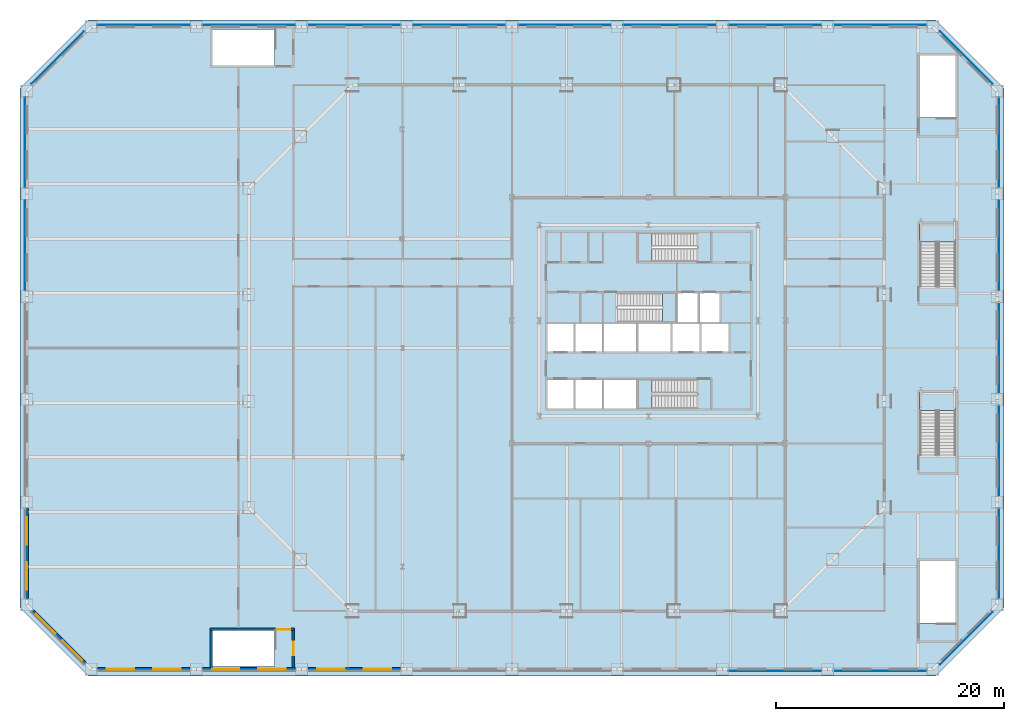
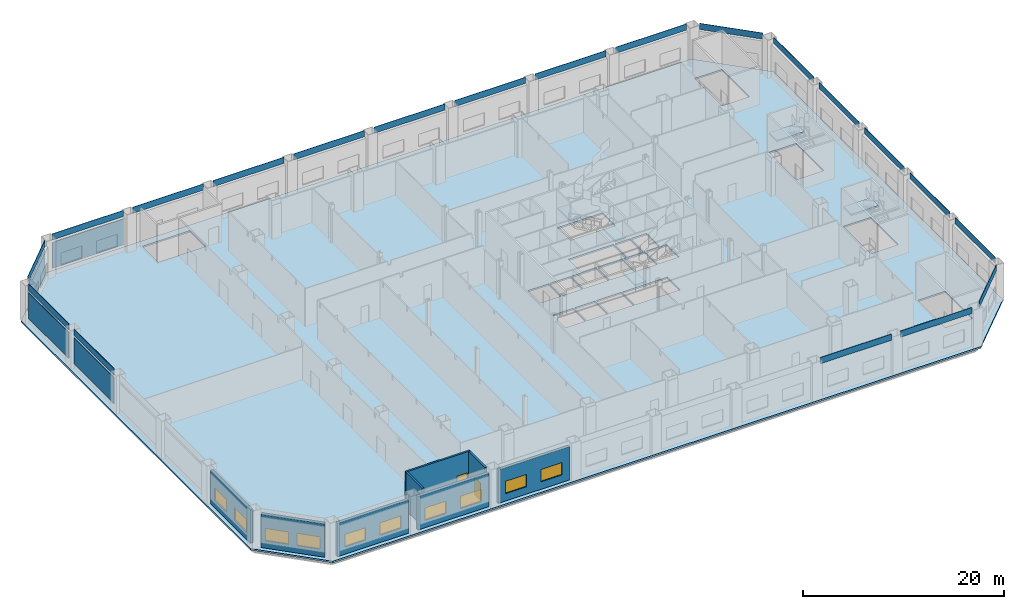
# One storey, part 8 of 22: 24 plates, 10 windows, 8 walls, 6 slabs, 2 doors, 12 openings, 5 elements without a shape of their own.
"""IFC4 building model written with IfcOpenShell, lengths in metres."""

from ifc_helpers import new_model, si_unit, direction, frame, frame_2d, origin, origin_2d, place, context, subcontext, project, spatial, polyline, rectangle, outline, extrude, material, layer, layer_set, type_object, element, fill, aggregate, save


model = new_model("IFC4")

# Units and contexts
model_context = context("Model", 3, precision=1e-05, world=origin(), true_north=direction((0.0, 1.0)))
body_context = subcontext(model_context, "Body", "Model", "MODEL_VIEW")
ifc_project = project(units=[si_unit("LENGTHUNIT", "METRE"), si_unit("AREAUNIT", "SQUARE_METRE"), si_unit("VOLUMEUNIT", "CUBIC_METRE"), si_unit("PLANEANGLEUNIT", "RADIAN"), si_unit("MASSUNIT", "GRAM", prefix="KILO")], contexts=[model_context])

# Site, building, storey
site_placement = place(None, origin())
site = spatial("IfcSite", under=ifc_project, at=site_placement, CompositionType="ELEMENT")
building_placement = place(site_placement, origin())
building = spatial("IfcBuilding", under=site, at=building_placement, Name="Cairn Pilgrim Tower", CompositionType="ELEMENT")
storey_placement = place(building_placement, frame((0.0, 0.0, 35.39990234375)))
storey = spatial("IfcBuildingStorey", under=building, at=storey_placement, Name="L06", CompositionType="ELEMENT", Elevation=35.39990234375)

# Plates
ifc_material_1 = material(Name="Bronze anodised aluminium", Category="aluminium")
ifc_layer_1 = layer(ifc_material_1, 0.050048828125)
ifc_layer_set_1 = layer_set([ifc_layer_1], Name="BRONZE FASCIA PANEL 50")
plate_type_1 = type_object("IfcPlateType", Name="BRONZE FASCIA PANEL 50", PredefinedType="SHEET", material=ifc_layer_set_1)
for number, where, z_axis, x_axis, name in (
    (1, (18.294677734375, -28.375, 4.050048828125), (0.0, 0.0, 1.0), (1.0, 0.0, 0.0), "FASCIA"),
    (2, (27.532470703125, -28.375, 4.050048828125), (0.0, 0.0, 1.0), (1.0, 0.0, 0.0), "FASCIA"),
):
    element("IfcPlate", number, at=place(storey_placement, frame(where, z_axis=z_axis, x_axis=x_axis)), inside=storey, type_object=plate_type_1, Name=name, PredefinedType="SHEET", context=body_context, shape_type="SweptSolid", body=[
        extrude(rectangle(XDim=8.137939453125, YDim=0.050048828125, at=origin_2d()), origin(), (0.0, 0.0, 1.0), 0.75),
    ])
plate_1_placement = place(storey_placement, frame((35.099609375, -25.49951171875, 4.050048828125), z_axis=(0.0, 0.0, 1.0), x_axis=(0.707106781187, 0.707106781187, 0.0)))
element("IfcPlate", 3, at=plate_1_placement, inside=storey, type_object=plate_type_1, Name="FASCIA", PredefinedType="SHEET", context=body_context, shape_type="SweptSolid", body=[
    extrude(rectangle(XDim=6.50830078125, YDim=0.050048828125, at=origin_2d()), origin(), (0.0, 0.0, 1.0), 0.75),
])
for number, where, z_axis, x_axis, name in (
    (4, (37.97509765625, -18.041259765625, 4.050048828125), (0.0, 0.0, 1.0), (0.0, 1.0, 0.0), "FASCIA"),
    (5, (37.97509765625, -9.0205078125, 4.050048828125), (0.0, 0.0, 1.0), (0.0, 1.0, 0.0), "FASCIA"),
    (6, (37.97509765625, 0.0, 4.050048828125), (0.0, 0.0, 1.0), (0.0, 1.0, 0.0), "FASCIA"),
    (7, (37.97509765625, 9.0205078125, 4.050048828125), (0.0, 0.0, 1.0), (0.0, 1.0, 0.0), "FASCIA"),
    (8, (37.97509765625, 18.041259765625, 4.050048828125), (0.0, 0.0, 1.0), (0.0, 1.0, 0.0), "FASCIA"),
):
    element("IfcPlate", number, at=place(storey_placement, frame(where, z_axis=z_axis, x_axis=x_axis)), inside=storey, type_object=plate_type_1, Name=name, PredefinedType="SHEET", context=body_context, shape_type="SweptSolid", body=[
        extrude(rectangle(XDim=7.920654296875, YDim=0.050048828125, at=origin_2d()), origin(), (0.0, 0.0, 1.0), 0.75),
    ])
plate_2_placement = place(storey_placement, frame((35.099609375, 25.49951171875, 4.050048828125), z_axis=(0.0, 0.0, 1.0), x_axis=(-0.707106781187, 0.707106781187, 0.0)))
element("IfcPlate", 9, at=plate_2_placement, inside=storey, type_object=plate_type_1, Name="FASCIA", PredefinedType="SHEET", context=body_context, shape_type="SweptSolid", body=[
    extrude(rectangle(XDim=6.50830078125, YDim=0.050048828125, at=origin_2d()), origin(), (0.0, 0.0, 1.0), 0.75),
])
for number, where, z_axis, x_axis, name in (
    (10, (27.532470703125, 28.375, 4.050048828125), (0.0, 0.0, 1.0), (-1.0, 0.0, 0.0), "FASCIA"),
    (11, (18.294677734375, 28.375, 4.050048828125), (0.0, 0.0, 1.0), (-1.0, 0.0, 0.0), "FASCIA"),
    (12, (9.056884765625, 28.375, 4.050048828125), (0.0, 0.0, 1.0), (-1.0, 0.0, 0.0), "FASCIA"),
    (13, (-0.18115234375, 28.375, 4.050048828125), (0.0, 0.0, 1.0), (-1.0, 0.0, 0.0), "FASCIA"),
    (14, (-9.4189453125, 28.375, 4.050048828125), (0.0, 0.0, 1.0), (-1.0, 0.0, 0.0), "FASCIA"),
    (15, (-18.65673828125, 28.375, 4.050048828125), (0.0, 0.0, 1.0), (-1.0, 0.0, 0.0), "FASCIA"),
    (16, (-27.894775390625, 28.375, 4.050048828125), (0.0, 0.0, 1.0), (-1.0, 0.0, 0.0), "FASCIA"),
    (17, (-37.132568359375, 28.375, 4.050048828125), (0.0, 0.0, 1.0), (-1.0, 0.0, 0.0), "FASCIA"),
):
    element("IfcPlate", number, at=place(storey_placement, frame(where, z_axis=z_axis, x_axis=x_axis)), inside=storey, type_object=plate_type_1, Name=name, PredefinedType="SHEET", context=body_context, shape_type="SweptSolid", body=[
        extrude(rectangle(XDim=8.137939453125, YDim=0.050048828125, at=origin_2d()), origin(), (0.0, 0.0, 1.0), 0.75),
    ])
plate_3_placement = place(storey_placement, frame((-44.699462890625, 25.49951171875, 4.050048828125), z_axis=(0.0, 0.0, 1.0), x_axis=(-0.707106781187, -0.707106781187, 0.0)))
element("IfcPlate", 18, at=plate_3_placement, inside=storey, type_object=plate_type_1, Name="FASCIA", PredefinedType="SHEET", context=body_context, shape_type="SweptSolid", body=[
    extrude(rectangle(XDim=6.50830078125, YDim=0.050048828125, at=origin_2d()), origin(), (0.0, 0.0, 1.0), 0.75),
])
for number, where, z_axis, x_axis, name in (
    (19, (-47.574951171875, 18.041259765625, 4.050048828125), (0.0, 0.0, 1.0), (0.0, -1.0, 0.0), "FASCIA"),
    (20, (-47.574951171875, 9.0205078125, 4.050048828125), (0.0, 0.0, 1.0), (0.0, -1.0, 0.0), "FASCIA"),
):
    element("IfcPlate", number, at=place(storey_placement, frame(where, z_axis=z_axis, x_axis=x_axis)), inside=storey, type_object=plate_type_1, Name=name, PredefinedType="SHEET", context=body_context, shape_type="SweptSolid", body=[
        extrude(rectangle(XDim=7.920654296875, YDim=0.050048828125, at=origin_2d()), origin(), (0.0, 0.0, 1.0), 0.75),
    ])
ifc_material_2 = material(Name="Perforated bronze anodised aluminium", Category="aluminium")
ifc_layer_2 = layer(ifc_material_2, 0.050048828125)
ifc_layer_set_2 = layer_set([ifc_layer_2], Name="COBOGO SCREEN 50 BRONZE")
plate_type_2 = type_object("IfcPlateType", Name="COBOGO SCREEN 50 BRONZE", PredefinedType="SHEET", material=ifc_layer_set_2)
plate_4_placement = place(storey_placement, frame((-37.132568359375, 28.375, 0.60009765625), z_axis=(0.0, 0.0, 1.0), x_axis=(-1.0, 0.0, 0.0)))
element("IfcPlate", 21, at=plate_4_placement, inside=storey, type_object=plate_type_2, Name="SCREEN", PredefinedType="SHEET", context=body_context, shape_type="SweptSolid", body=[
    extrude(rectangle(XDim=8.137939453125, YDim=0.050048828125, at=origin_2d()), origin(), (0.0, 0.0, 1.0), 3.14990234375),
])
plate_5_placement = place(storey_placement, frame((-44.699462890625, 25.49951171875, 0.60009765625), z_axis=(0.0, 0.0, 1.0), x_axis=(-0.707106781187, -0.707106781187, 0.0)))
element("IfcPlate", 22, at=plate_5_placement, inside=storey, type_object=plate_type_2, Name="SCREEN", PredefinedType="SHEET", context=body_context, shape_type="SweptSolid", body=[
    extrude(rectangle(XDim=6.50830078125, YDim=0.050048828125, at=origin_2d()), origin(), (0.0, 0.0, 1.0), 3.14990234375),
])
for number, where, z_axis, x_axis, name in (
    (23, (-47.574951171875, 18.041259765625, 0.60009765625), (0.0, 0.0, 1.0), (0.0, -1.0, 0.0), "SCREEN"),
    (24, (-47.574951171875, 9.0205078125, 0.60009765625), (0.0, 0.0, 1.0), (0.0, -1.0, 0.0), "SCREEN"),
):
    element("IfcPlate", number, at=place(storey_placement, frame(where, z_axis=z_axis, x_axis=x_axis)), inside=storey, type_object=plate_type_2, Name=name, PredefinedType="SHEET", context=body_context, shape_type="SweptSolid", body=[
        extrude(rectangle(XDim=7.920654296875, YDim=0.050048828125, at=origin_2d()), origin(), (0.0, 0.0, 1.0), 3.14990234375),
    ])

# Slab
ifc_material_3 = material(Name="Concrete C35/45", Category="concrete")
ifc_layer_3 = layer(ifc_material_3, 0.199951171875)
ifc_layer_set_3 = layer_set([ifc_layer_3], Name="PODIUM COMPOSITE SLAB 200")
slab_type_1 = type_object("IfcSlabType", Name="PODIUM COMPOSITE SLAB 200", PredefinedType="FLOOR", material=ifc_layer_set_3)
slab_1_placement = place(storey_placement, frame((0.0, 0.0, -0.199951171875)))
element("IfcSlab", 25, at=slab_1_placement, inside=storey, type_object=slab_type_1, Name="PODIUM FLOOR SLAB L06", PredefinedType="FLOOR", context=body_context, shape_type="SweptSolid", body=[
    extrude(outline(polyline([(-42.0, 28.800048828125), (-48.0, 22.800048828125), (-48.0, -22.800048828125), (-42.0, -28.800048828125), (32.39990234375, -28.800048828125), (38.39990234375, -22.800048828125), (38.39990234375, 22.800048828125), (32.39990234375, 28.800048828125), (-42.0, 28.800048828125)]), holes=[polyline([(-1.72509765625, -2.77490234375), (0.625, -2.77490234375), (0.625, -5.300048828125), (-1.72509765625, -5.300048828125), (-1.72509765625, -2.77490234375)]), polyline([(3.125, -2.77490234375), (3.125, -5.300048828125), (0.77490234375, -5.300048828125), (0.77490234375, -2.77490234375), (3.125, -2.77490234375)]), polyline([(0.625, -0.324951171875), (-1.72509765625, -0.324951171875), (-1.72509765625, 2.125), (0.625, 2.125), (0.625, -0.324951171875)]), polyline([(0.77490234375, -0.324951171875), (0.77490234375, 2.125), (3.125, 2.125), (3.125, -0.324951171875), (0.77490234375, -0.324951171875)]), polyline([(3.27490234375, -2.77490234375), (6.125, -2.77490234375), (6.125, -5.300048828125), (3.27490234375, -5.300048828125), (3.27490234375, -2.77490234375)]), polyline([(6.125, 2.125), (6.125, -0.324951171875), (3.27490234375, -0.324951171875), (3.27490234375, 2.125), (6.125, 2.125)]), polyline([(9.125, -0.324951171875), (6.27490234375, -0.324951171875), (6.27490234375, 2.125), (9.125, 2.125), (9.125, -0.324951171875)]), polyline([(9.27490234375, -0.324951171875), (9.27490234375, 2.125), (11.675048828125, 2.125), (11.675048828125, -0.324951171875), (9.27490234375, -0.324951171875)]), polyline([(11.824951171875, 2.125), (14.22509765625, 2.125), (14.22509765625, -0.324951171875), (11.824951171875, -0.324951171875), (11.824951171875, 2.125)]), polyline([(11.52490234375, 4.824951171875), (11.52490234375, 2.27490234375), (9.77490234375, 2.27490234375), (9.77490234375, 4.824951171875), (11.52490234375, 4.824951171875)]), polyline([(13.425048828125, 2.27490234375), (11.675048828125, 2.27490234375), (11.675048828125, 4.824951171875), (13.425048828125, 4.824951171875), (13.425048828125, 2.27490234375)]), polyline([(11.424560546875, -2.77490234375), (11.424560546875, -5.300048828125), (6.27490234375, -5.300048828125), (6.27490234375, -2.77490234375), (11.424560546875, -2.77490234375)]), polyline([(4.4755859375, 4.824951171875), (9.625, 4.824951171875), (9.625, 2.27490234375), (4.4755859375, 2.27490234375), (4.4755859375, 4.824951171875)]), polyline([(6.27490234375, 7.574951171875), (6.27490234375, 10.10009765625), (11.424560546875, 10.10009765625), (11.424560546875, 7.574951171875), (6.27490234375, 7.574951171875)]), polyline([(-31.10009765625, 27.949951171875), (-25.650390625, 27.949951171875), (-25.650390625, 24.800048828125), (-31.10009765625, 24.800048828125), (-31.10009765625, 27.949951171875)]), polyline([(-25.650390625, -24.800048828125), (-25.650390625, -27.949951171875), (-31.10009765625, -27.949951171875), (-31.10009765625, -24.800048828125), (-25.650390625, -24.800048828125)]), polyline([(31.0, -24.1494140625), (31.0, -18.699951171875), (34.14990234375, -18.699951171875), (34.14990234375, -24.1494140625), (31.0, -24.1494140625)]), polyline([(31.0, -3.89990234375), (34.14990234375, -3.89990234375), (34.14990234375, -9.349609375), (31.0, -9.349609375), (31.0, -3.89990234375)]), polyline([(34.14990234375, 10.89990234375), (34.14990234375, 5.450439453125), (31.0, 5.450439453125), (31.0, 10.89990234375), (34.14990234375, 10.89990234375)]), polyline([(34.14990234375, 20.25048828125), (31.0, 20.25048828125), (31.0, 25.699951171875), (34.14990234375, 25.699951171875), (34.14990234375, 20.25048828125)])]), origin(), (0.0, 0.0, 1.0), 0.199951171875),
])

# Stair, slab
stair_type_1 = type_object("IfcStairType", Name="PODIUM EXIT STAIR 1500", PredefinedType="HALF_TURN_STAIR", material=ifc_material_3)
stair_1_placement = place(storey_placement, origin())
stair_1 = element("IfcStair", 26, at=stair_1_placement, inside=storey, type_object=stair_type_1, Name="L06 Exit Stair Es2", PredefinedType="HALF_TURN_STAIR")
ifc_layer_4 = layer(ifc_material_3, 0.199951171875)
ifc_layer_set_4 = layer_set([ifc_layer_4], Name="PODIUM STAIR LANDING 200")
slab_type_2 = type_object("IfcSlabType", Name="PODIUM STAIR LANDING 200", PredefinedType="LANDING", material=ifc_layer_set_4)
slab_2_placement = place(storey_placement, frame((0.0, 0.0, 2.2001953125)))
slab_2 = element("IfcSlab", 27, at=slab_2_placement, type_object=slab_type_2, Name="ST-ES2 landing 1", PredefinedType="LANDING", context=body_context, shape_type="SweptSolid", body=[
    extrude(outline(polyline([(34.14990234375, -5.47998046875), (34.14990234375, -3.89990234375), (31.0, -3.89990234375), (31.0, -5.47998046875), (34.14990234375, -5.47998046875)])), origin(), (0.0, 0.0, 1.0), 0.199951171875),
])
aggregate(stair_1, [slab_2])

stair_2_placement = place(storey_placement, origin())
stair_2 = element("IfcStair", 28, at=stair_2_placement, inside=storey, type_object=stair_type_1, Name="L06 Exit Stair Es3", PredefinedType="HALF_TURN_STAIR")
slab_3_placement = place(storey_placement, frame((0.0, 0.0, 2.2001953125)))
slab_3 = element("IfcSlab", 29, at=slab_3_placement, type_object=slab_type_2, Name="ST-ES3 landing 1", PredefinedType="LANDING", context=body_context, shape_type="SweptSolid", body=[
    extrude(outline(polyline([(34.14990234375, 9.320068359375), (34.14990234375, 10.89990234375), (31.0, 10.89990234375), (31.0, 9.320068359375), (34.14990234375, 9.320068359375)])), origin(), (0.0, 0.0, 1.0), 0.199951171875),
])
aggregate(stair_2, [slab_3])

ifc_material_4 = material(Name="Concrete C32/40", Category="concrete")
stair_type_2 = type_object("IfcStairType", Name="EXIT STAIR 1200", PredefinedType="HALF_TURN_STAIR", material=ifc_material_4)
stair_3_placement = place(storey_placement, origin())
stair_3 = element("IfcStair", 30, at=stair_3_placement, inside=storey, type_object=stair_type_2, Name="L06 Exit Stair A", PredefinedType="HALF_TURN_STAIR")
ifc_layer_5 = layer(ifc_material_4, 0.199951171875)
ifc_layer_set_5 = layer_set([ifc_layer_5], Name="STAIR LANDING 200")
slab_type_3 = type_object("IfcSlabType", Name="STAIR LANDING 200", PredefinedType="LANDING", material=ifc_layer_set_5)
slab_4_placement = place(storey_placement, frame((0.0, 0.0, 2.2001953125)))
slab_4 = element("IfcSlab", 31, at=slab_4_placement, type_object=slab_type_3, Name="ST-A landing 1", PredefinedType="LANDING", context=body_context, shape_type="SweptSolid", body=[
    extrude(outline(polyline([(7.5048828125, -2.77490234375), (6.27490234375, -2.77490234375), (6.27490234375, -5.300048828125), (7.5048828125, -5.300048828125), (7.5048828125, -2.77490234375)])), origin(), (0.0, 0.0, 1.0), 0.199951171875),
])
aggregate(stair_3, [slab_4])

stair_4_placement = place(storey_placement, origin())
stair_4 = element("IfcStair", 32, at=stair_4_placement, inside=storey, type_object=stair_type_2, Name="L06 Exit Stair B", PredefinedType="HALF_TURN_STAIR")
slab_5_placement = place(storey_placement, frame((0.0, 0.0, 2.2001953125)))
slab_5 = element("IfcSlab", 33, at=slab_5_placement, type_object=slab_type_3, Name="ST-B landing 1", PredefinedType="LANDING", context=body_context, shape_type="SweptSolid", body=[
    extrude(outline(polyline([(8.39501953125, 2.27490234375), (9.625, 2.27490234375), (9.625, 4.824951171875), (8.39501953125, 4.824951171875), (8.39501953125, 2.27490234375)])), origin(), (0.0, 0.0, 1.0), 0.199951171875),
])
aggregate(stair_4, [slab_5])

stair_5_placement = place(storey_placement, origin())
stair_5 = element("IfcStair", 34, at=stair_5_placement, inside=storey, type_object=stair_type_2, Name="L06 Exit Stair C", PredefinedType="HALF_TURN_STAIR")
slab_6_placement = place(storey_placement, frame((0.0, 0.0, 2.2001953125)))
slab_6 = element("IfcSlab", 35, at=slab_6_placement, type_object=slab_type_3, Name="ST-C landing 1", PredefinedType="LANDING", context=body_context, shape_type="SweptSolid", body=[
    extrude(outline(polyline([(7.5048828125, 10.10009765625), (6.27490234375, 10.10009765625), (6.27490234375, 7.574951171875), (7.5048828125, 7.574951171875), (7.5048828125, 10.10009765625)])), origin(), (0.0, 0.0, 1.0), 0.199951171875),
])
aggregate(stair_5, [slab_6])

# Wall
ifc_layer_6 = layer(ifc_material_3, 0.199951171875)
ifc_layer_set_6 = layer_set([ifc_layer_6], Name="PODIUM STAIR WALL 200 EI 120")
wall_type_1 = type_object("IfcWallType", Name="PODIUM STAIR WALL 200 EI 120", PredefinedType="SOLIDWALL", material=ifc_layer_set_6)
wall_1_placement = place(storey_placement, frame((-31.199951171875, -28.050048828125, 0.0), z_axis=(0.0, 0.0, 1.0), x_axis=(0.0, 1.0, 0.0)))
element("IfcWall", 36, at=wall_1_placement, inside=storey, type_object=wall_type_1, Name="STAIR SHAFT WALL W001", PredefinedType="SOLIDWALL", context=body_context, shape_type="SweptSolid", body=[
    extrude(rectangle(XDim=3.25, YDim=0.199951171875, at=frame_2d((1.625, 0.0))), origin(), (0.0, 0.0, 1.0), 4.650146484375),
])

# Wall, opening, door
wall_2_placement = place(storey_placement, frame((-24.0, -28.050048828125, 0.0), z_axis=(0.0, 0.0, 1.0), x_axis=(0.0, 1.0, 0.0)))
wall_2 = element("IfcWall", 37, at=wall_2_placement, inside=storey, type_object=wall_type_1, Name="STAIR SHAFT WALL W002", PredefinedType="SOLIDWALL", context=body_context, shape_type="SweptSolid", body=[
    extrude(rectangle(XDim=3.25, YDim=0.199951171875, at=frame_2d((1.625, 0.0))), origin(), (0.0, 0.0, 1.0), 4.650146484375),
])
opening_1_placement = place(wall_2_placement, frame((1.050048828125, 0.0, 0.0)))
opening_1 = element("IfcOpeningElement", 38, at=opening_1_placement, cuts=wall_2, Name="Opening 0626", PredefinedType="OPENING", context=body_context, shape_type="SweptSolid", body=[
    extrude(rectangle(XDim=1.199951171875, YDim=2.10009765625, at=frame_2d((0.60009765625, 1.050048828125))), frame((0.0, 0.10986328125, 0.0), z_axis=(0.0, -1.0, 0.0), x_axis=(1.0, 0.0, 0.0)), (0.0, 0.0, 1.0), 0.219970703125),
])
ifc_material_5 = material(Name="Steel-faced fire door leaf", Category="steel")
door_type = type_object("IfcDoorType", Name="FIRE DOOR 1200x2100 FD60S", OperationType="NOTDEFINED", PredefinedType="DOOR", material=ifc_material_5)
door_1_placement = place(opening_1_placement, origin())
door_1 = element("IfcDoor", 39, at=door_1_placement, inside=storey, type_object=door_type, Name="DOOR 0626", OperationType="SINGLE_SWING_RIGHT", OverallHeight=2.10009765625, OverallWidth=1.199951171875, PredefinedType="DOOR", context=body_context, shape_type="SweptSolid", body=[
    extrude(rectangle(XDim=1.199951171875, YDim=2.10009765625, at=frame_2d((0.60009765625, 1.050048828125))), frame((0.0, 0.02490234375, 0.0), z_axis=(0.0, -1.0, 0.0), x_axis=(1.0, 0.0, 0.0)), (0.0, 0.0, 1.0), 0.050048828125),
])
fill(opening_1, door_1)

wall_3_placement = place(storey_placement, frame((-31.300048828125, -24.699951171875, 0.0), z_axis=(0.0, 0.0, 1.0), x_axis=(1.0, 0.0, 0.0)))
wall_3 = element("IfcWall", 40, at=wall_3_placement, inside=storey, type_object=wall_type_1, Name="STAIR SHAFT WALL W006", PredefinedType="SOLIDWALL", context=body_context, shape_type="SweptSolid", body=[
    extrude(rectangle(XDim=7.400146484375, YDim=0.199951171875, at=frame_2d((3.7001953125, 0.0))), origin(), (0.0, 0.0, 1.0), 4.650146484375),
])
opening_2_placement = place(wall_3_placement, frame((5.85009765625, 0.0, 0.0)))
opening_2 = element("IfcOpeningElement", 41, at=opening_2_placement, cuts=wall_3, Name="Opening 0625", PredefinedType="OPENING", context=body_context, shape_type="SweptSolid", body=[
    extrude(rectangle(XDim=1.199951171875, YDim=2.10009765625, at=frame_2d((0.60009765625, 1.050048828125))), frame((0.0, 0.10986328125, 0.0), z_axis=(0.0, -1.0, 0.0), x_axis=(1.0, 0.0, 0.0)), (0.0, 0.0, 1.0), 0.219970703125),
])
door_2_placement = place(opening_2_placement, frame((1.199951171875, 0.0, 0.0), z_axis=(0.0, 0.0, 1.0), x_axis=(-1.0, 0.0, 0.0)))
door_2 = element("IfcDoor", 42, at=door_2_placement, inside=storey, type_object=door_type, Name="DOOR 0625", OperationType="SINGLE_SWING_LEFT", OverallHeight=2.10009765625, OverallWidth=1.199951171875, PredefinedType="DOOR", context=body_context, shape_type="SweptSolid", body=[
    extrude(rectangle(XDim=1.199951171875, YDim=2.10009765625, at=frame_2d((0.60009765625, 1.050048828125))), frame((0.0, 0.02490234375, 0.0), z_axis=(0.0, -1.0, 0.0), x_axis=(1.0, 0.0, 0.0)), (0.0, 0.0, 1.0), 0.050048828125),
])
fill(opening_2, door_2)

# Wall, openings, windows
ifc_material_6 = material(Name="Concrete C35/45 backup wall with bronze aluminium cladding", Category="concrete")
ifc_layer_7 = layer(ifc_material_6, 0.300048828125)
ifc_layer_set_7 = layer_set([ifc_layer_7], Name="PODIUM WALL 300 BRONZE-CLAD")
wall_type_2 = type_object("IfcWallType", Name="PODIUM WALL 300 BRONZE-CLAD", PredefinedType="SOLIDWALL", material=ifc_layer_set_7)
wall_4_placement = place(storey_placement, frame((-41.201416015625, -28.199951171875, 0.0), z_axis=(0.0, 0.0, 1.0), x_axis=(1.0, 0.0, 0.0)))
wall_4 = element("IfcWall", 43, at=wall_4_placement, inside=storey, type_object=wall_type_2, Name="PODIUM EXTERNAL WALL S1-S2", PredefinedType="SOLIDWALL", context=body_context, shape_type="SweptSolid", body=[
    extrude(rectangle(XDim=8.1376953125, YDim=0.300048828125, at=frame_2d((4.06884765625, 0.0))), origin(), (0.0, 0.0, 1.0), 4.050048828125),
])
opening_3_placement = place(wall_4_placement, frame((0.83447265625, 0.0, 0.89990234375)))
opening_3 = element("IfcOpeningElement", 44, at=opening_3_placement, cuts=wall_4, Name="Opening PW15", PredefinedType="OPENING", context=body_context, shape_type="SweptSolid", body=[
    extrude(rectangle(XDim=2.39990234375, YDim=1.5, at=frame_2d((1.199951171875, 0.75))), frame((0.0, 0.16015625, 0.0), z_axis=(0.0, -1.0, 0.0), x_axis=(1.0, 0.0, 0.0)), (0.0, 0.0, 1.0), 0.320068359375),
])
opening_4_placement = place(wall_4_placement, frame((4.9033203125, 0.0, 0.89990234375)))
opening_4 = element("IfcOpeningElement", 45, at=opening_4_placement, cuts=wall_4, Name="Opening PW15", PredefinedType="OPENING", context=body_context, shape_type="SweptSolid", body=[
    extrude(rectangle(XDim=2.39990234375, YDim=1.5, at=frame_2d((1.199951171875, 0.75))), frame((0.0, 0.16015625, 0.0), z_axis=(0.0, -1.0, 0.0), x_axis=(1.0, 0.0, 0.0)), (0.0, 0.0, 1.0), 0.320068359375),
])
ifc_material_7 = material(Name="Bronze anodised aluminium frame with tinted low-E glass", Category="aluminium")
window_type = type_object("IfcWindowType", Name="PODIUM FIXED WINDOW 2400x1500", PartitioningType="SINGLE_PANEL", PredefinedType="WINDOW", material=ifc_material_7)
window_1_placement = place(opening_3_placement, origin())
window_1 = element("IfcWindow", 46, at=window_1_placement, inside=storey, type_object=window_type, Name="PODIUM WINDOW", OverallHeight=1.5, OverallWidth=2.39990234375, PartitioningType="SINGLE_PANEL", PredefinedType="WINDOW", context=body_context, shape_type="SweptSolid", body=[
    extrude(rectangle(XDim=2.39990234375, YDim=1.5, at=frame_2d((1.199951171875, 0.75))), frame((0.0, 0.030029296875, 0.0), z_axis=(0.0, -1.0, 0.0), x_axis=(1.0, 0.0, 0.0)), (0.0, 0.0, 1.0), 0.06005859375),
])
fill(opening_3, window_1)
window_2_placement = place(opening_4_placement, origin())
window_2 = element("IfcWindow", 47, at=window_2_placement, inside=storey, type_object=window_type, Name="PODIUM WINDOW", OverallHeight=1.5, OverallWidth=2.39990234375, PartitioningType="SINGLE_PANEL", PredefinedType="WINDOW", context=body_context, shape_type="SweptSolid", body=[
    extrude(rectangle(XDim=2.39990234375, YDim=1.5, at=frame_2d((1.199951171875, 0.75))), frame((0.0, 0.030029296875, 0.0), z_axis=(0.0, -1.0, 0.0), x_axis=(1.0, 0.0, 0.0)), (0.0, 0.0, 1.0), 0.06005859375),
])
fill(opening_4, window_2)

wall_5_placement = place(storey_placement, frame((-31.963623046875, -28.199951171875, 0.0), z_axis=(0.0, 0.0, 1.0), x_axis=(1.0, 0.0, 0.0)))
wall_5 = element("IfcWall", 48, at=wall_5_placement, inside=storey, type_object=wall_type_2, Name="PODIUM EXTERNAL WALL S2-S3", PredefinedType="SOLIDWALL", context=body_context, shape_type="SweptSolid", body=[
    extrude(rectangle(XDim=8.137939453125, YDim=0.300048828125, at=frame_2d((4.06884765625, 0.0))), origin(), (0.0, 0.0, 1.0), 4.050048828125),
])
opening_5_placement = place(wall_5_placement, frame((0.83447265625, 0.0, 0.89990234375)))
opening_5 = element("IfcOpeningElement", 49, at=opening_5_placement, cuts=wall_5, Name="Opening PW15", PredefinedType="OPENING", context=body_context, shape_type="SweptSolid", body=[
    extrude(rectangle(XDim=2.39990234375, YDim=1.5, at=frame_2d((1.199951171875, 0.75))), frame((0.0, 0.16015625, 0.0), z_axis=(0.0, -1.0, 0.0), x_axis=(1.0, 0.0, 0.0)), (0.0, 0.0, 1.0), 0.320068359375),
])
opening_6_placement = place(wall_5_placement, frame((4.9033203125, 0.0, 0.89990234375)))
opening_6 = element("IfcOpeningElement", 50, at=opening_6_placement, cuts=wall_5, Name="Opening PW15", PredefinedType="OPENING", context=body_context, shape_type="SweptSolid", body=[
    extrude(rectangle(XDim=2.39990234375, YDim=1.5, at=frame_2d((1.199951171875, 0.75))), frame((0.0, 0.16015625, 0.0), z_axis=(0.0, -1.0, 0.0), x_axis=(1.0, 0.0, 0.0)), (0.0, 0.0, 1.0), 0.320068359375),
])
window_3_placement = place(opening_5_placement, origin())
window_3 = element("IfcWindow", 51, at=window_3_placement, inside=storey, type_object=window_type, Name="PODIUM WINDOW", OverallHeight=1.5, OverallWidth=2.39990234375, PartitioningType="SINGLE_PANEL", PredefinedType="WINDOW", context=body_context, shape_type="SweptSolid", body=[
    extrude(rectangle(XDim=2.39990234375, YDim=1.5, at=frame_2d((1.199951171875, 0.75))), frame((0.0, 0.030029296875, 0.0), z_axis=(0.0, -1.0, 0.0), x_axis=(1.0, 0.0, 0.0)), (0.0, 0.0, 1.0), 0.06005859375),
])
fill(opening_5, window_3)
window_4_placement = place(opening_6_placement, origin())
window_4 = element("IfcWindow", 52, at=window_4_placement, inside=storey, type_object=window_type, Name="PODIUM WINDOW", OverallHeight=1.5, OverallWidth=2.39990234375, PartitioningType="SINGLE_PANEL", PredefinedType="WINDOW", context=body_context, shape_type="SweptSolid", body=[
    extrude(rectangle(XDim=2.39990234375, YDim=1.5, at=frame_2d((1.199951171875, 0.75))), frame((0.0, 0.030029296875, 0.0), z_axis=(0.0, -1.0, 0.0), x_axis=(1.0, 0.0, 0.0)), (0.0, 0.0, 1.0), 0.06005859375),
])
fill(opening_6, window_4)

wall_6_placement = place(storey_placement, frame((-22.7255859375, -28.199951171875, 0.0), z_axis=(0.0, 0.0, 1.0), x_axis=(1.0, 0.0, 0.0)))
wall_6 = element("IfcWall", 53, at=wall_6_placement, inside=storey, type_object=wall_type_2, Name="PODIUM EXTERNAL WALL S3-S4", PredefinedType="SOLIDWALL", context=body_context, shape_type="SweptSolid", body=[
    extrude(rectangle(XDim=8.1376953125, YDim=0.300048828125, at=frame_2d((4.06884765625, 0.0))), origin(), (0.0, 0.0, 1.0), 4.050048828125),
])
opening_7_placement = place(wall_6_placement, frame((0.83447265625, 0.0, 0.89990234375)))
opening_7 = element("IfcOpeningElement", 54, at=opening_7_placement, cuts=wall_6, Name="Opening PW15", PredefinedType="OPENING", context=body_context, shape_type="SweptSolid", body=[
    extrude(rectangle(XDim=2.39990234375, YDim=1.5, at=frame_2d((1.199951171875, 0.75))), frame((0.0, 0.16015625, 0.0), z_axis=(0.0, -1.0, 0.0), x_axis=(1.0, 0.0, 0.0)), (0.0, 0.0, 1.0), 0.320068359375),
])
opening_8_placement = place(wall_6_placement, frame((4.9033203125, 0.0, 0.89990234375)))
opening_8 = element("IfcOpeningElement", 55, at=opening_8_placement, cuts=wall_6, Name="Opening PW15", PredefinedType="OPENING", context=body_context, shape_type="SweptSolid", body=[
    extrude(rectangle(XDim=2.39990234375, YDim=1.5, at=frame_2d((1.199951171875, 0.75))), frame((0.0, 0.16015625, 0.0), z_axis=(0.0, -1.0, 0.0), x_axis=(1.0, 0.0, 0.0)), (0.0, 0.0, 1.0), 0.320068359375),
])
window_5_placement = place(opening_7_placement, origin())
window_5 = element("IfcWindow", 56, at=window_5_placement, inside=storey, type_object=window_type, Name="PODIUM WINDOW", OverallHeight=1.5, OverallWidth=2.39990234375, PartitioningType="SINGLE_PANEL", PredefinedType="WINDOW", context=body_context, shape_type="SweptSolid", body=[
    extrude(rectangle(XDim=2.39990234375, YDim=1.5, at=frame_2d((1.199951171875, 0.75))), frame((0.0, 0.030029296875, 0.0), z_axis=(0.0, -1.0, 0.0), x_axis=(1.0, 0.0, 0.0)), (0.0, 0.0, 1.0), 0.06005859375),
])
fill(opening_7, window_5)
window_6_placement = place(opening_8_placement, origin())
window_6 = element("IfcWindow", 57, at=window_6_placement, inside=storey, type_object=window_type, Name="PODIUM WINDOW", OverallHeight=1.5, OverallWidth=2.39990234375, PartitioningType="SINGLE_PANEL", PredefinedType="WINDOW", context=body_context, shape_type="SweptSolid", body=[
    extrude(rectangle(XDim=2.39990234375, YDim=1.5, at=frame_2d((1.199951171875, 0.75))), frame((0.0, 0.030029296875, 0.0), z_axis=(0.0, -1.0, 0.0), x_axis=(1.0, 0.0, 0.0)), (0.0, 0.0, 1.0), 0.06005859375),
])
fill(opening_8, window_6)

wall_7_placement = place(storey_placement, frame((-47.39990234375, -14.080810546875, 0.0), z_axis=(0.0, 0.0, 1.0), x_axis=(0.0, -1.0, 0.0)))
wall_7 = element("IfcWall", 58, at=wall_7_placement, inside=storey, type_object=wall_type_2, Name="PODIUM EXTERNAL WALL W5-SW1", PredefinedType="SOLIDWALL", context=body_context, shape_type="SweptSolid", body=[
    extrude(rectangle(XDim=7.920654296875, YDim=0.300048828125, at=frame_2d((3.96044921875, 0.0))), origin(), (0.0, 0.0, 1.0), 4.050048828125),
])
opening_9_placement = place(wall_7_placement, frame((0.780029296875, 0.0, 0.89990234375)))
opening_9 = element("IfcOpeningElement", 59, at=opening_9_placement, cuts=wall_7, Name="Opening PW15", PredefinedType="OPENING", context=body_context, shape_type="SweptSolid", body=[
    extrude(rectangle(XDim=2.39990234375, YDim=1.5, at=frame_2d((1.199951171875, 0.75))), frame((0.0, 0.16015625, 0.0), z_axis=(0.0, -1.0, 0.0), x_axis=(1.0, 0.0, 0.0)), (0.0, 0.0, 1.0), 0.320068359375),
])
opening_10_placement = place(wall_7_placement, frame((4.740478515625, 0.0, 0.89990234375)))
opening_10 = element("IfcOpeningElement", 60, at=opening_10_placement, cuts=wall_7, Name="Opening PW15", PredefinedType="OPENING", context=body_context, shape_type="SweptSolid", body=[
    extrude(rectangle(XDim=2.39990234375, YDim=1.5, at=frame_2d((1.199951171875, 0.75))), frame((0.0, 0.16015625, 0.0), z_axis=(0.0, -1.0, 0.0), x_axis=(1.0, 0.0, 0.0)), (0.0, 0.0, 1.0), 0.320068359375),
])
window_7_placement = place(opening_9_placement, origin())
window_7 = element("IfcWindow", 61, at=window_7_placement, inside=storey, type_object=window_type, Name="PODIUM WINDOW", OverallHeight=1.5, OverallWidth=2.39990234375, PartitioningType="SINGLE_PANEL", PredefinedType="WINDOW", context=body_context, shape_type="SweptSolid", body=[
    extrude(rectangle(XDim=2.39990234375, YDim=1.5, at=frame_2d((1.199951171875, 0.75))), frame((0.0, 0.030029296875, 0.0), z_axis=(0.0, -1.0, 0.0), x_axis=(1.0, 0.0, 0.0)), (0.0, 0.0, 1.0), 0.06005859375),
])
fill(opening_9, window_7)
window_8_placement = place(opening_10_placement, origin())
window_8 = element("IfcWindow", 62, at=window_8_placement, inside=storey, type_object=window_type, Name="PODIUM WINDOW", OverallHeight=1.5, OverallWidth=2.39990234375, PartitioningType="SINGLE_PANEL", PredefinedType="WINDOW", context=body_context, shape_type="SweptSolid", body=[
    extrude(rectangle(XDim=2.39990234375, YDim=1.5, at=frame_2d((1.199951171875, 0.75))), frame((0.0, 0.030029296875, 0.0), z_axis=(0.0, -1.0, 0.0), x_axis=(1.0, 0.0, 0.0)), (0.0, 0.0, 1.0), 0.06005859375),
])
fill(opening_10, window_8)

wall_8_placement = place(storey_placement, frame((-46.876708984375, -23.07470703125, 0.0), z_axis=(0.0, 0.0, 1.0), x_axis=(0.707106781187, -0.707106781187, 0.0)))
wall_8 = element("IfcWall", 63, at=wall_8_placement, inside=storey, type_object=wall_type_2, Name="PODIUM EXTERNAL WALL SW1-S1", PredefinedType="SOLIDWALL", context=body_context, shape_type="SweptSolid", body=[
    extrude(rectangle(XDim=6.50830078125, YDim=0.300048828125, at=frame_2d((3.254150390625, 0.0))), origin(), (0.0, 0.0, 1.0), 4.050048828125),
])
opening_11_placement = place(wall_8_placement, frame((0.427001953125, 0.0, 0.89990234375)))
opening_11 = element("IfcOpeningElement", 64, at=opening_11_placement, cuts=wall_8, Name="Opening PW15", PredefinedType="OPENING", context=body_context, shape_type="SweptSolid", body=[
    extrude(rectangle(XDim=2.39990234375, YDim=1.5, at=frame_2d((1.199951171875, 0.75))), frame((0.0, 0.16015625, 0.0), z_axis=(0.0, -1.0, 0.0), x_axis=(1.0, 0.0, 0.0)), (0.0, 0.0, 1.0), 0.320068359375),
])
opening_12_placement = place(wall_8_placement, frame((3.68115234375, 0.0, 0.89990234375)))
opening_12 = element("IfcOpeningElement", 65, at=opening_12_placement, cuts=wall_8, Name="Opening PW15", PredefinedType="OPENING", context=body_context, shape_type="SweptSolid", body=[
    extrude(rectangle(XDim=2.39990234375, YDim=1.5, at=frame_2d((1.199951171875, 0.75))), frame((0.0, 0.16015625, 0.0), z_axis=(0.0, -1.0, 0.0), x_axis=(1.0, 0.0, 0.0)), (0.0, 0.0, 1.0), 0.320068359375),
])
window_9_placement = place(opening_11_placement, origin())
window_9 = element("IfcWindow", 66, at=window_9_placement, inside=storey, type_object=window_type, Name="PODIUM WINDOW", OverallHeight=1.5, OverallWidth=2.39990234375, PartitioningType="SINGLE_PANEL", PredefinedType="WINDOW", context=body_context, shape_type="SweptSolid", body=[
    extrude(rectangle(XDim=2.39990234375, YDim=1.5, at=frame_2d((1.199951171875, 0.75))), frame((0.0, 0.030029296875, 0.0), z_axis=(0.0, -1.0, 0.0), x_axis=(1.0, 0.0, 0.0)), (0.0, 0.0, 1.0), 0.06005859375),
])
fill(opening_11, window_9)
window_10_placement = place(opening_12_placement, origin())
window_10 = element("IfcWindow", 67, at=window_10_placement, inside=storey, type_object=window_type, Name="PODIUM WINDOW", OverallHeight=1.5, OverallWidth=2.39990234375, PartitioningType="SINGLE_PANEL", PredefinedType="WINDOW", context=body_context, shape_type="SweptSolid", body=[
    extrude(rectangle(XDim=2.39990234375, YDim=1.5, at=frame_2d((1.199951171875, 0.75))), frame((0.0, 0.030029296875, 0.0), z_axis=(0.0, -1.0, 0.0), x_axis=(1.0, 0.0, 0.0)), (0.0, 0.0, 1.0), 0.06005859375),
])
fill(opening_12, window_10)

save(model, "model.ifc")
